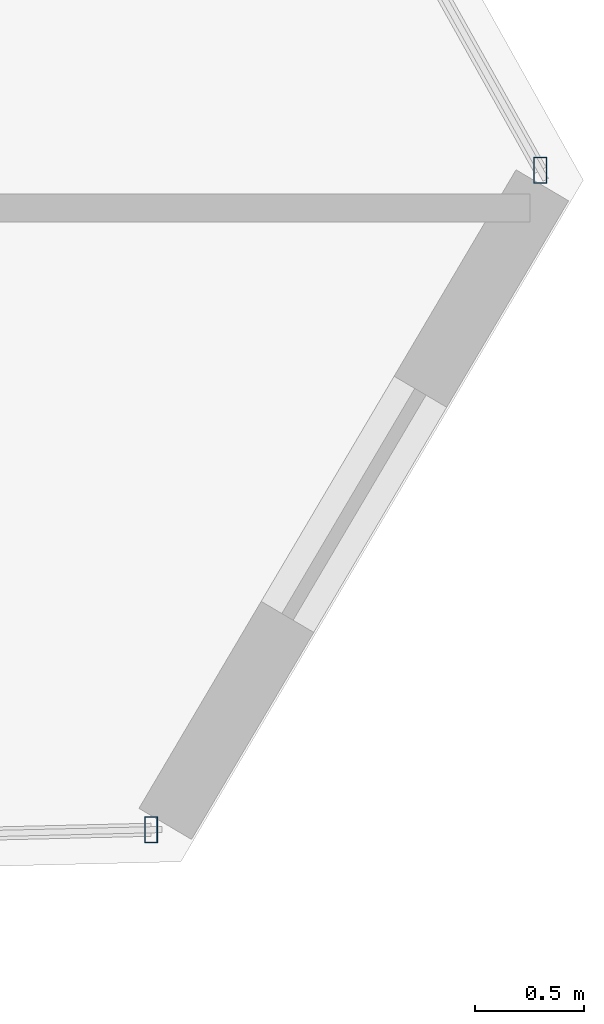
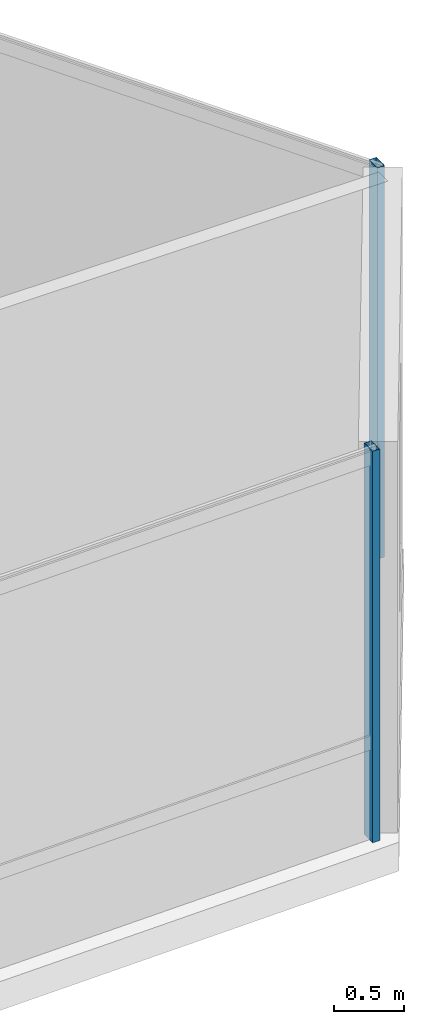
# One storey, part 26 of 45: 2 members, 2 elements without a shape of their own.
"""IFC4 building model written with IfcOpenShell, lengths in metres."""

from ifc_helpers import new_model, si_unit, direction, frame, origin, origin_2d, place, context, subcontext, project, spatial, hollow_rectangle, extrude, source, transform, mapped, material, material_profile, profile_set, type_object, type_shapes, element, aggregate, save


model = new_model("IFC4")

# Units and contexts
model_context = context("Model", 3, precision=1e-05, world=origin(), true_north=direction((0.0, 1.0)))
body_context = subcontext(model_context, "Body", "Model", "MODEL_VIEW")
ifc_project = project(units=[si_unit("LENGTHUNIT", "METRE"), si_unit("AREAUNIT", "SQUARE_METRE"), si_unit("VOLUMEUNIT", "CUBIC_METRE"), si_unit("PLANEANGLEUNIT", "RADIAN"), si_unit("MASSUNIT", "GRAM", prefix="KILO")], contexts=[model_context])

# Site, building, storey
site_placement = place(None, origin())
site = spatial("IfcSite", under=ifc_project, at=site_placement, CompositionType="ELEMENT")
building_placement = place(site_placement, origin())
building = spatial("IfcBuilding", under=site, at=building_placement, Name="Caelisora Broadcast Tower", CompositionType="ELEMENT")
storey_placement = place(building_placement, frame((0.0, 0.0, 262.699951171875)))
storey = spatial("IfcBuildingStorey", under=building, at=storey_placement, Name="L69", CompositionType="ELEMENT", Elevation=262.699951171875)

# Curtain wall, member
ifc_material_1 = material(Name="Unitised Aluminium and Low-E Glass Curtain Wall", Category="glass")
curtain_wall_type = type_object("IfcCurtainWallType", Name="CW-Z5", PredefinedType="NOTDEFINED", material=ifc_material_1)
curtain_wall_1_placement = place(storey_placement, origin())
curtain_wall_1 = element("IfcCurtainWall", 1, at=curtain_wall_1_placement, inside=storey, type_object=curtain_wall_type, Name="L69 curtain wall CW-Z5", PredefinedType="NOTDEFINED")
ifc_material_2 = material(Name="Aluminium 6063-T6 Anodised Terracotta Bronze", Category="aluminium")
ifc_material_profile = material_profile(ifc_material_2, hollow_rectangle(XDim=0.06005859375, YDim=0.1201171875, WallThickness=0.0029296875, at=origin_2d()), Name="Aluminium 6063-T6 Anodised Terracotta Bronze")
ifc_profile_set = profile_set([ifc_material_profile], Name="Aluminium 6063-T6 Anodised Terracotta Bronze")
member_type = type_object("IfcMemberType", Name="CWM-04", PredefinedType="MULLION", material=ifc_profile_set)
shared_shape = source(origin(), body_context, "Body", "SweptSolid", [
    extrude(hollow_rectangle(XDim=0.06005859375, YDim=0.1201171875, WallThickness=0.0029296875, at=origin_2d()), origin(), (0.0, 0.0, 1.0), 3.400146484375),
])
type_shapes(member_type, [shared_shape])
member_1_placement = place(storey_placement, frame((62.265625, 11.983642578125, 0.0), z_axis=(0.0, 0.0, 1.0), x_axis=(1.0, 0.0, 0.0)))
member_1 = element("IfcMember", 2, at=member_1_placement, type_object=member_type, Name="L69-CW-B03 mullion #3", PredefinedType="MULLION", context=body_context, shape_type="MappedRepresentation", body=[
    mapped(shared_shape, transform((0.0, 0.0, 0.0), scale=1.0)),
])
aggregate(curtain_wall_1, [member_1])

curtain_wall_2_placement = place(storey_placement, origin())
curtain_wall_2 = element("IfcCurtainWall", 3, at=curtain_wall_2_placement, inside=storey, type_object=curtain_wall_type, Name="L69 curtain wall CW-Z5", PredefinedType="NOTDEFINED")
member_2_placement = place(storey_placement, frame((60.47900390625, 8.956787109375, 0.0), z_axis=(0.0, 0.0, 1.0), x_axis=(1.0, 0.0, 0.0)))
member_2 = element("IfcMember", 4, at=member_2_placement, type_object=member_type, Name="L69-CW-B05 mullion #0", PredefinedType="MULLION", context=body_context, shape_type="MappedRepresentation", body=[
    mapped(shared_shape, transform((0.0, 0.0, 0.0), scale=1.0)),
])
aggregate(curtain_wall_2, [member_2])

save(model, "model.ifc")
